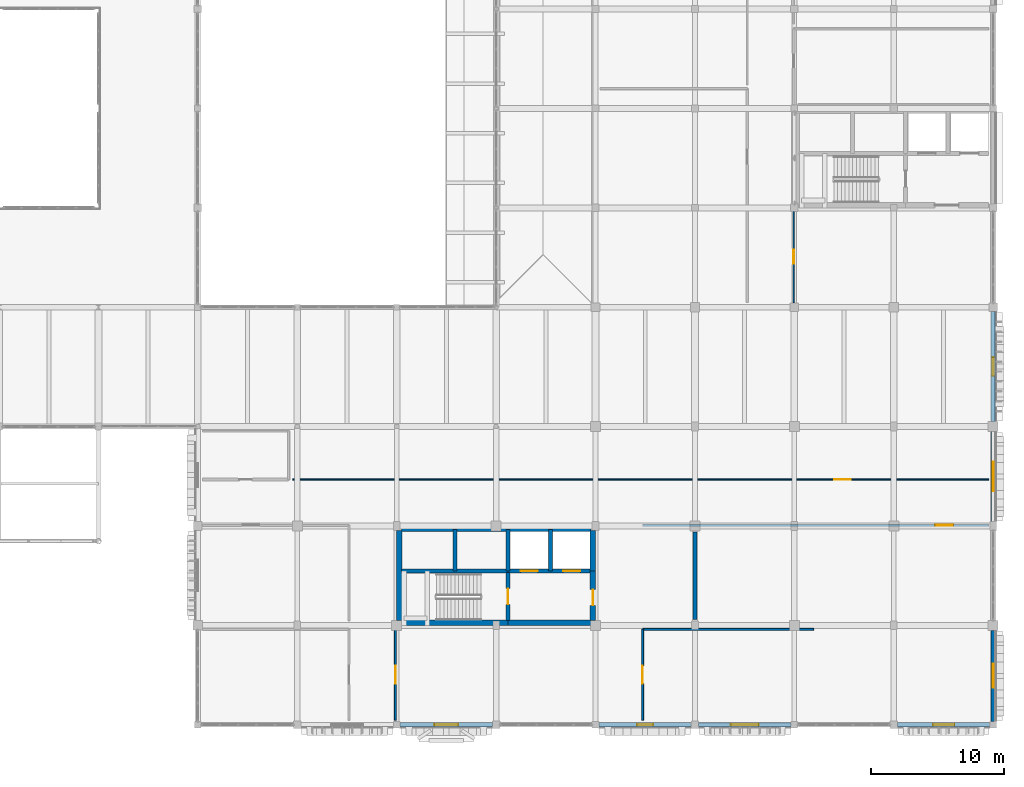
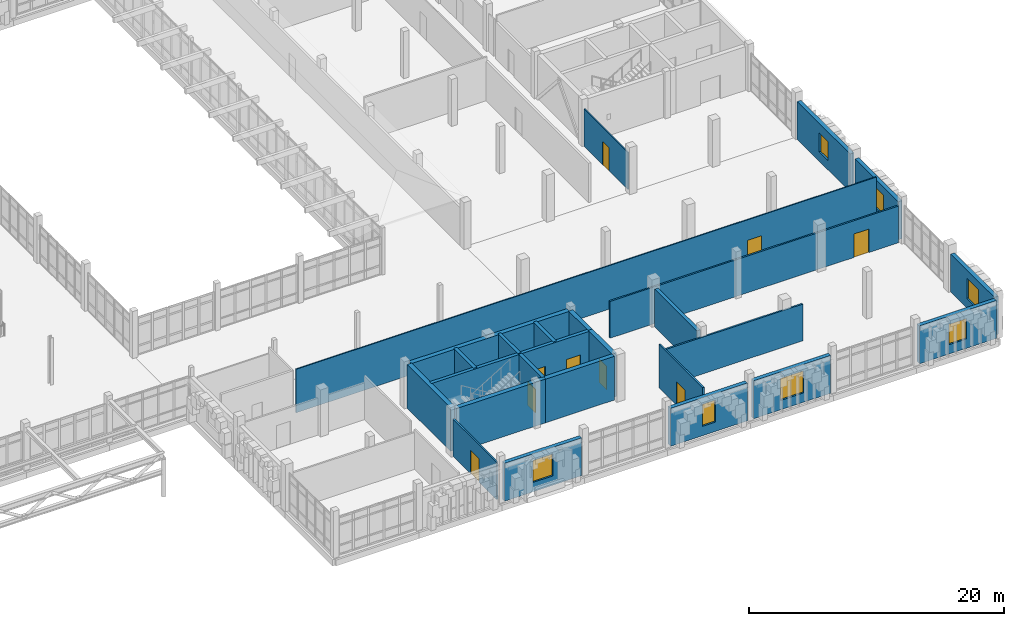
# One storey, part 103 of 128: 26 walls, 9 doors, 7 windows, 16 openings.
"""IFC4 building model written with IfcOpenShell, lengths in metres."""

from ifc_helpers import new_model, si_unit, direction, frame, frame_2d, origin, place, context, subcontext, project, spatial, rectangle, extrude, material, layer, layer_set, type_object, element, fill, save


model = new_model("IFC4")

# Units and contexts
model_context = context("Model", 3, precision=1e-05, world=origin(), true_north=direction((0.0, 1.0)))
body_context = subcontext(model_context, "Body", "Model", "MODEL_VIEW")
ifc_project = project(units=[si_unit("LENGTHUNIT", "METRE"), si_unit("AREAUNIT", "SQUARE_METRE"), si_unit("VOLUMEUNIT", "CUBIC_METRE"), si_unit("PLANEANGLEUNIT", "RADIAN"), si_unit("MASSUNIT", "GRAM", prefix="KILO")], contexts=[model_context])

# Site, building, storey
site_placement = place(None, origin())
site = spatial("IfcSite", under=ifc_project, at=site_placement, CompositionType="ELEMENT")
building_placement = place(site_placement, origin())
building = spatial("IfcBuilding", under=site, at=building_placement, Name="Dalvernix Boulevard General Hospital", CompositionType="ELEMENT")
storey_placement = place(building_placement, frame((0.0, 0.0, 4.800048828125)))
storey = spatial("IfcBuildingStorey", under=building, at=storey_placement, Name="L01", CompositionType="ELEMENT", Elevation=4.800048828125)

# Walls
ifc_material_1 = material(Name="Concrete C40/50", Category="concrete")
ifc_layer_1 = layer(ifc_material_1, 0.39990234375)
ifc_layer_set_1 = layer_set([ifc_layer_1], Name="Concrete C40/50 (WAL-CSW-01)")
wall_type_1 = type_object("IfcWallType", Name="WAL-CSW-01", PredefinedType="SHEAR", material=ifc_layer_set_1)
wall_1_placement = place(storey_placement, frame((127.85009765625, 7.699951171875, 0.0), z_axis=(0.0, 0.0, 1.0), x_axis=(1.0, 0.0, 0.0)))
element("IfcWall", 1, at=wall_1_placement, inside=storey, type_object=wall_type_1, Name="L01 C5 south stairwell wall", PredefinedType="SHEAR", context=body_context, shape_type="SweptSolid", body=[
    extrude(rectangle(XDim=8.0498046875, YDim=0.39990234375, at=frame_2d((4.02490234375, 0.0))), origin(), (0.0, 0.0, 1.0), 4.179931640625),
])
wall_2_placement = place(storey_placement, frame((135.89990234375, 7.699951171875, 0.0), z_axis=(0.0, 0.0, 1.0), x_axis=(1.0, 0.0, 0.0)))
element("IfcWall", 2, at=wall_2_placement, inside=storey, type_object=wall_type_1, Name="L01 C5 south firefighting lobby wall", PredefinedType="SHEAR", context=body_context, shape_type="SweptSolid", body=[
    extrude(rectangle(XDim=6.25, YDim=0.39990234375, at=frame_2d((3.125, 0.0))), origin(), (0.0, 0.0, 1.0), 4.179931640625),
])
wall_3_placement = place(storey_placement, frame((127.85009765625, 14.800048828125, 0.0), z_axis=(0.0, 0.0, 1.0), x_axis=(1.0, 0.0, 0.0)))
element("IfcWall", 3, at=wall_3_placement, inside=storey, type_object=wall_type_1, Name="L01 C5 north shaft core wall", PredefinedType="SHEAR", context=body_context, shape_type="SweptSolid", body=[
    extrude(rectangle(XDim=14.2998046875, YDim=0.39990234375, at=frame_2d((7.14990234375, 0.0))), origin(), (0.0, 0.0, 1.0), 4.179931640625),
])
wall_4_placement = place(storey_placement, frame((127.699951171875, 7.85009765625, 0.0), z_axis=(0.0, 0.0, 1.0), x_axis=(0.0, 1.0, 0.0)))
element("IfcWall", 4, at=wall_4_placement, inside=storey, type_object=wall_type_1, Name="L01 C5 west core wall", PredefinedType="SHEAR", context=body_context, shape_type="SweptSolid", body=[
    extrude(rectangle(XDim=6.7998046875, YDim=0.39990234375, at=frame_2d((3.39990234375, 0.0))), origin(), (0.0, 0.0, 1.0), 4.179931640625),
])

# Wall, opening, door
wall_5_placement = place(storey_placement, frame((142.300048828125, 7.85009765625, 0.0), z_axis=(0.0, 0.0, 1.0), x_axis=(0.0, 1.0, 0.0)))
wall_5 = element("IfcWall", 5, at=wall_5_placement, inside=storey, type_object=wall_type_1, Name="L01 C5 east lobby core wall", PredefinedType="SHEAR", context=body_context, shape_type="SweptSolid", body=[
    extrude(rectangle(XDim=3.75, YDim=0.39990234375, at=frame_2d((1.875, 0.0))), origin(), (0.0, 0.0, 1.0), 4.179931640625),
])
opening_1_placement = place(wall_5_placement, frame((1.14990234375, 0.0, 0.0)))
opening_1 = element("IfcOpeningElement", 6, at=opening_1_placement, cuts=wall_5, Name="Opening FD-02", PredefinedType="OPENING", context=body_context, shape_type="SweptSolid", body=[
    extrude(rectangle(XDim=1.199951171875, YDim=2.25, at=frame_2d((0.60009765625, 1.125))), frame((0.0, 0.2099609375, 0.0), z_axis=(0.0, -1.0, 0.0), x_axis=(1.0, 0.0, 0.0)), (0.0, 0.0, 1.0), 0.419921875),
])
ifc_material_2 = material(Name="Hospital laminate acoustic timber and steel frame", Category="steel")
door_type_1 = type_object("IfcDoorType", Name="DR-FD-02", OperationType="NOTDEFINED", PredefinedType="DOOR", material=ifc_material_2)
door_1_placement = place(opening_1_placement, origin())
door_1 = element("IfcDoor", 7, at=door_1_placement, inside=storey, type_object=door_type_1, Name="L01 C5 east lobby fire door", OperationType="SINGLE_SWING_LEFT", OverallHeight=2.25, OverallWidth=1.199951171875, PredefinedType="DOOR", context=body_context, shape_type="SweptSolid", body=[
    extrude(rectangle(XDim=1.199951171875, YDim=2.25, at=frame_2d((0.60009765625, 1.125))), frame((0.0, 0.02490234375, 0.0), z_axis=(0.0, -1.0, 0.0), x_axis=(1.0, 0.0, 0.0)), (0.0, 0.0, 1.0), 0.050048828125),
])
fill(opening_1, door_1)

# Walls
wall_6_placement = place(storey_placement, frame((142.300048828125, 11.60009765625, 0.0), z_axis=(0.0, 0.0, 1.0), x_axis=(0.0, 1.0, 0.0)))
element("IfcWall", 8, at=wall_6_placement, inside=storey, type_object=wall_type_1, Name="L01 C5 east shaft core wall", PredefinedType="SHEAR", context=body_context, shape_type="SweptSolid", body=[
    extrude(rectangle(XDim=3.0498046875, YDim=0.39990234375, at=frame_2d((1.52490234375, 0.0))), origin(), (0.0, 0.0, 1.0), 4.179931640625),
])
ifc_layer_2 = layer(ifc_material_1, 0.300048828125)
ifc_layer_set_2 = layer_set([ifc_layer_2], Name="Concrete C40/50 (WAL-CSW-02)")
wall_type_2 = type_object("IfcWallType", Name="WAL-CSW-02", PredefinedType="SHEAR", material=ifc_layer_set_2)
wall_7_placement = place(storey_placement, frame((127.85009765625, 11.60009765625, 0.0), z_axis=(0.0, 0.0, 1.0), x_axis=(1.0, 0.0, 0.0)))
element("IfcWall", 9, at=wall_7_placement, inside=storey, type_object=wall_type_2, Name="L01 C5 riser spine wall", PredefinedType="SHEAR", context=body_context, shape_type="SweptSolid", body=[
    extrude(rectangle(XDim=8.0498046875, YDim=0.300048828125, at=frame_2d((4.02490234375, 0.0))), origin(), (0.0, 0.0, 1.0), 4.179931640625),
])

# Wall, openings, doors
wall_8_placement = place(storey_placement, frame((135.89990234375, 11.60009765625, 0.0), z_axis=(0.0, 0.0, 1.0), x_axis=(1.0, 0.0, 0.0)))
wall_8 = element("IfcWall", 10, at=wall_8_placement, inside=storey, type_object=wall_type_2, Name="L01 C5 lift shaft front wall", PredefinedType="SHEAR", context=body_context, shape_type="SweptSolid", body=[
    extrude(rectangle(XDim=6.25, YDim=0.300048828125, at=frame_2d((3.125, 0.0))), origin(), (0.0, 0.0, 1.0), 4.179931640625),
])
opening_2_placement = place(wall_8_placement, frame((0.949951171875, 0.0, 0.0)))
opening_2 = element("IfcOpeningElement", 11, at=opening_2_placement, cuts=wall_8, Name="Opening LD-LF-04-L01", PredefinedType="OPENING", context=body_context, shape_type="SweptSolid", body=[
    extrude(rectangle(XDim=1.300048828125, YDim=2.199951171875, at=frame_2d((0.64990234375, 1.10009765625))), frame((0.0, 0.159912109375, 0.0), z_axis=(0.0, -1.0, 0.0), x_axis=(1.0, 0.0, 0.0)), (0.0, 0.0, 1.0), 0.320068359375),
])
opening_3_placement = place(wall_8_placement, frame((4.14990234375, 0.0, 0.0)))
opening_3 = element("IfcOpeningElement", 12, at=opening_3_placement, cuts=wall_8, Name="Opening LD-LF-05-L01", PredefinedType="OPENING", context=body_context, shape_type="SweptSolid", body=[
    extrude(rectangle(XDim=1.300048828125, YDim=2.199951171875, at=frame_2d((0.64990234375, 1.10009765625))), frame((0.0, 0.159912109375, 0.0), z_axis=(0.0, -1.0, 0.0), x_axis=(1.0, 0.0, 0.0)), (0.0, 0.0, 1.0), 0.320068359375),
])
ifc_material_3 = material(Name="Stainless-clad steel", Category="steel")
door_type_2 = type_object("IfcDoorType", Name="DR-LD-02", OperationType="DOUBLE_DOOR_SLIDING", PredefinedType="DOOR", material=ifc_material_3)
door_2_placement = place(opening_2_placement, origin())
door_2 = element("IfcDoor", 13, at=door_2_placement, inside=storey, type_object=door_type_2, Name="L01 Lift LF-04 sliding landing door", OperationType="DOUBLE_DOOR_SLIDING", OverallHeight=2.199951171875, OverallWidth=1.300048828125, PredefinedType="DOOR", context=body_context, shape_type="SweptSolid", body=[
    extrude(rectangle(XDim=1.300048828125, YDim=2.199951171875, at=frame_2d((0.64990234375, 1.10009765625))), frame((0.0, 0.02490234375, 0.0), z_axis=(0.0, -1.0, 0.0), x_axis=(1.0, 0.0, 0.0)), (0.0, 0.0, 1.0), 0.050048828125),
])
fill(opening_2, door_2)
door_3_placement = place(opening_3_placement, origin())
door_3 = element("IfcDoor", 14, at=door_3_placement, inside=storey, type_object=door_type_2, Name="L01 Lift LF-05 sliding landing door", OperationType="DOUBLE_DOOR_SLIDING", OverallHeight=2.199951171875, OverallWidth=1.300048828125, PredefinedType="DOOR", context=body_context, shape_type="SweptSolid", body=[
    extrude(rectangle(XDim=1.300048828125, YDim=2.199951171875, at=frame_2d((0.64990234375, 1.10009765625))), frame((0.0, 0.02490234375, 0.0), z_axis=(0.0, -1.0, 0.0), x_axis=(1.0, 0.0, 0.0)), (0.0, 0.0, 1.0), 0.050048828125),
])
fill(opening_3, door_3)

# Wall, opening, door
wall_9_placement = place(storey_placement, frame((135.89990234375, 11.5, 0.0), z_axis=(0.0, 0.0, 1.0), x_axis=(0.0, -1.0, 0.0)))
wall_9 = element("IfcWall", 15, at=wall_9_placement, inside=storey, type_object=wall_type_2, Name="L01 C5 stairwell fire wall", PredefinedType="SHEAR", context=body_context, shape_type="SweptSolid", body=[
    extrude(rectangle(XDim=3.64990234375, YDim=0.300048828125, at=frame_2d((1.824951171875, 0.0))), origin(), (0.0, 0.0, 1.0), 4.179931640625),
])
opening_4_placement = place(wall_9_placement, frame((1.219970703125, 0.0, 0.0)))
opening_4 = element("IfcOpeningElement", 16, at=opening_4_placement, cuts=wall_9, Name="Opening FD-02", PredefinedType="OPENING", context=body_context, shape_type="SweptSolid", body=[
    extrude(rectangle(XDim=1.199951171875, YDim=2.25, at=frame_2d((0.60009765625, 1.125))), frame((0.0, 0.159912109375, 0.0), z_axis=(0.0, -1.0, 0.0), x_axis=(1.0, 0.0, 0.0)), (0.0, 0.0, 1.0), 0.320068359375),
])
door_4_placement = place(opening_4_placement, origin())
door_4 = element("IfcDoor", 17, at=door_4_placement, inside=storey, type_object=door_type_1, Name="L01 Stair ST-05 fire door", OperationType="SINGLE_SWING_LEFT", OverallHeight=2.25, OverallWidth=1.199951171875, PredefinedType="DOOR", context=body_context, shape_type="SweptSolid", body=[
    extrude(rectangle(XDim=1.199951171875, YDim=2.25, at=frame_2d((0.60009765625, 1.125))), frame((0.0, 0.02490234375, 0.0), z_axis=(0.0, -1.0, 0.0), x_axis=(1.0, 0.0, 0.0)), (0.0, 0.0, 1.0), 0.050048828125),
])
fill(opening_4, door_4)

# Walls
for number, where, z_axis, x_axis, name in (
    (18, (131.89990234375, 11.60009765625, 0.0), (0.0, 0.0, 1.0), (0.0, 1.0, 0.0), "L01 C5 shaft divider R1"),
    (19, (135.89990234375, 11.60009765625, 0.0), (0.0, 0.0, 1.0), (0.0, 1.0, 0.0), "L01 C5 shaft divider R2"),
    (20, (139.10009765625, 11.60009765625, 0.0), (0.0, 0.0, 1.0), (0.0, 1.0, 0.0), "L01 C5 shaft divider L1"),
):
    element("IfcWall", number, at=place(storey_placement, frame(where, z_axis=z_axis, x_axis=x_axis)), inside=storey, type_object=wall_type_2, Name=name, PredefinedType="SHEAR", context=body_context, shape_type="SweptSolid", body=[
        extrude(rectangle(XDim=3.14990234375, YDim=0.300048828125, at=frame_2d((1.574951171875, 0.0))), origin(), (0.0, 0.0, 1.0), 4.179931640625),
    ])
ifc_layer_3 = layer(ifc_material_1, 0.320068359375)
ifc_layer_set_3 = layer_set([ifc_layer_3], Name="Concrete C40/50 (WAL-ESW-02)")
wall_type_3 = type_object("IfcWallType", Name="WAL-ESW-02", PredefinedType="SHEAR", material=ifc_layer_set_3)
wall_10_placement = place(storey_placement, frame((150.0, 7.949951171875, 0.0), z_axis=(0.0, 0.0, 1.0), x_axis=(0.0, 1.0, 0.0)))
element("IfcWall", 21, at=wall_10_placement, inside=storey, type_object=wall_type_3, Name="L01 reinforced concrete shear wall 3", PredefinedType="SHEAR", context=body_context, shape_type="SweptSolid", body=[
    extrude(rectangle(XDim=6.60009765625, YDim=0.320068359375, at=frame_2d((3.300048828125, 0.0))), origin(), (0.0, 0.0, 1.0), 3.6298828125),
])

# Wall, opening, window
ifc_material_4 = material(Name="Pressed Catalan clay brick and insulated concrete cavity wall C35/45", Category="masonry")
ifc_layer_4 = layer(ifc_material_4, 0.35009765625)
ifc_layer_set_4 = layer_set([ifc_layer_4], Name="Pressed Catalan clay brick and insulated concrete cavity wall C35/45 (WAL-EW-01)")
wall_type_4 = type_object("IfcWallType", Name="WAL-EW-01", PredefinedType="STANDARD", material=ifc_layer_set_4)
wall_11_placement = place(storey_placement, frame((134.715087890625, 0.0, 0.0), z_axis=(0.0, 0.0, 1.0), x_axis=(-1.0, 0.0, 0.0)))
wall_11 = element("IfcWall", 22, at=wall_11_placement, inside=storey, type_object=wall_type_4, Name="L01 Catalan brick external wall S 17-0", PredefinedType="STANDARD", context=body_context, shape_type="SweptSolid", body=[
    extrude(rectangle(XDim=6.955078125, YDim=0.35009765625, at=frame_2d((3.4775390625, 0.0))), origin(), (0.0, 0.0, 1.0), 3.6298828125),
])
opening_5_placement = place(wall_11_placement, frame((2.577392578125, 0.0, 0.89990234375)))
opening_5 = element("IfcOpeningElement", 23, at=opening_5_placement, cuts=wall_11, Name="Opening WN-05", PredefinedType="OPENING", context=body_context, shape_type="SweptSolid", body=[
    extrude(rectangle(XDim=1.800048828125, YDim=2.10009765625, at=frame_2d((0.89990234375, 1.050048828125))), frame((0.0, 0.18505859375, 0.0), z_axis=(0.0, -1.0, 0.0), x_axis=(1.0, 0.0, 0.0)), (0.0, 0.0, 1.0), 0.3701171875),
])
ifc_material_5 = material(Name="Thermally broken aluminium frame with solar-control double glazing", Category="aluminium")
window_type_1 = type_object("IfcWindowType", Name="WIN-WN-05", PartitioningType="SINGLE_PANEL", PredefinedType="WINDOW", material=ifc_material_5)
window_1_placement = place(opening_5_placement, origin())
window_1 = element("IfcWindow", 24, at=window_1_placement, inside=storey, type_object=window_type_1, Name="L01 clinical window WN-05 S 17-0", OverallHeight=2.10009765625, OverallWidth=1.800048828125, PartitioningType="SINGLE_PANEL", PredefinedType="WINDOW", context=body_context, shape_type="SweptSolid", body=[
    extrude(rectangle(XDim=1.800048828125, YDim=2.10009765625, at=frame_2d((0.89990234375, 1.050048828125))), frame((0.0, 0.030029296875, 0.0), z_axis=(0.0, -1.0, 0.0), x_axis=(1.0, 0.0, 0.0)), (0.0, 0.0, 1.0), 0.06005859375),
])
fill(opening_5, window_1)

wall_12_placement = place(storey_placement, frame((149.715087890625, 0.0, 0.0), z_axis=(0.0, 0.0, 1.0), x_axis=(-1.0, 0.0, 0.0)))
wall_12 = element("IfcWall", 25, at=wall_12_placement, inside=storey, type_object=wall_type_4, Name="L01 Catalan brick external wall S 19-0", PredefinedType="STANDARD", context=body_context, shape_type="SweptSolid", body=[
    extrude(rectangle(XDim=6.955078125, YDim=0.35009765625, at=frame_2d((3.4775390625, 0.0))), origin(), (0.0, 0.0, 1.0), 3.6298828125),
])
opening_6_placement = place(wall_12_placement, frame((2.87744140625, 0.0, 0.89990234375)))
opening_6 = element("IfcOpeningElement", 26, at=opening_6_placement, cuts=wall_12, Name="Opening WN-07", PredefinedType="OPENING", context=body_context, shape_type="SweptSolid", body=[
    extrude(rectangle(XDim=1.199951171875, YDim=2.10009765625, at=frame_2d((0.60009765625, 1.050048828125))), frame((0.0, 0.18505859375, 0.0), z_axis=(0.0, -1.0, 0.0), x_axis=(1.0, 0.0, 0.0)), (0.0, 0.0, 1.0), 0.3701171875),
])
window_type_2 = type_object("IfcWindowType", Name="WIN-WN-07", PartitioningType="SINGLE_PANEL", PredefinedType="WINDOW", material=ifc_material_5)
window_2_placement = place(opening_6_placement, origin())
window_2 = element("IfcWindow", 27, at=window_2_placement, inside=storey, type_object=window_type_2, Name="L01 clinical window WN-07 S 19-0", OverallHeight=2.10009765625, OverallWidth=1.199951171875, PartitioningType="SINGLE_PANEL", PredefinedType="WINDOW", context=body_context, shape_type="SweptSolid", body=[
    extrude(rectangle(XDim=1.199951171875, YDim=2.10009765625, at=frame_2d((0.60009765625, 1.050048828125))), frame((0.0, 0.030029296875, 0.0), z_axis=(0.0, -1.0, 0.0), x_axis=(1.0, 0.0, 0.0)), (0.0, 0.0, 1.0), 0.06005859375),
])
fill(opening_6, window_2)

wall_13_placement = place(storey_placement, frame((157.239990234375, 0.0, 0.0), z_axis=(0.0, 0.0, 1.0), x_axis=(-1.0, 0.0, 0.0)))
wall_13 = element("IfcWall", 28, at=wall_13_placement, inside=storey, type_object=wall_type_4, Name="L01 Catalan brick external wall S 20-0", PredefinedType="STANDARD", context=body_context, shape_type="SweptSolid", body=[
    extrude(rectangle(XDim=6.955078125, YDim=0.35009765625, at=frame_2d((3.4775390625, 0.0))), origin(), (0.0, 0.0, 1.0), 3.6298828125),
])
opening_7_placement = place(wall_13_placement, frame((2.427490234375, 0.0, 0.89990234375)))
opening_7 = element("IfcOpeningElement", 29, at=opening_7_placement, cuts=wall_13, Name="Opening WN-08", PredefinedType="OPENING", context=body_context, shape_type="SweptSolid", body=[
    extrude(rectangle(XDim=2.10009765625, YDim=2.10009765625, at=frame_2d((1.050048828125, 1.050048828125))), frame((0.0, 0.18505859375, 0.0), z_axis=(0.0, -1.0, 0.0), x_axis=(1.0, 0.0, 0.0)), (0.0, 0.0, 1.0), 0.3701171875),
])
window_type_3 = type_object("IfcWindowType", Name="WIN-WN-08", PartitioningType="SINGLE_PANEL", PredefinedType="WINDOW", material=ifc_material_5)
window_3_placement = place(opening_7_placement, origin())
window_3 = element("IfcWindow", 30, at=window_3_placement, inside=storey, type_object=window_type_3, Name="L01 clinical window WN-08 S 20-0", OverallHeight=2.10009765625, OverallWidth=2.10009765625, PartitioningType="SINGLE_PANEL", PredefinedType="WINDOW", context=body_context, shape_type="SweptSolid", body=[
    extrude(rectangle(XDim=2.10009765625, YDim=2.10009765625, at=frame_2d((1.050048828125, 1.050048828125))), frame((0.0, 0.030029296875, 0.0), z_axis=(0.0, -1.0, 0.0), x_axis=(1.0, 0.0, 0.0)), (0.0, 0.0, 1.0), 0.06005859375),
])
fill(opening_7, window_3)

wall_14_placement = place(storey_placement, frame((172.239990234375, 0.0, 0.0), z_axis=(0.0, 0.0, 1.0), x_axis=(-1.0, 0.0, 0.0)))
wall_14 = element("IfcWall", 31, at=wall_14_placement, inside=storey, type_object=wall_type_4, Name="L01 Catalan brick external wall S 22-0", PredefinedType="STANDARD", context=body_context, shape_type="SweptSolid", body=[
    extrude(rectangle(XDim=6.955078125, YDim=0.35009765625, at=frame_2d((3.4775390625, 0.0))), origin(), (0.0, 0.0, 1.0), 3.6298828125),
])
opening_8_placement = place(wall_14_placement, frame((2.677490234375, 0.0, 0.89990234375)))
opening_8 = element("IfcOpeningElement", 32, at=opening_8_placement, cuts=wall_14, Name="Opening WN-10", PredefinedType="OPENING", context=body_context, shape_type="SweptSolid", body=[
    extrude(rectangle(XDim=1.60009765625, YDim=1.949951171875, at=frame_2d((0.800048828125, 0.97509765625))), frame((0.0, 0.18505859375, 0.0), z_axis=(0.0, -1.0, 0.0), x_axis=(1.0, 0.0, 0.0)), (0.0, 0.0, 1.0), 0.3701171875),
])
window_type_4 = type_object("IfcWindowType", Name="WIN-WN-10", PartitioningType="SINGLE_PANEL", PredefinedType="WINDOW", material=ifc_material_5)
window_4_placement = place(opening_8_placement, origin())
window_4 = element("IfcWindow", 33, at=window_4_placement, inside=storey, type_object=window_type_4, Name="L01 clinical window WN-10 S 22-0", OverallHeight=1.949951171875, OverallWidth=1.60009765625, PartitioningType="SINGLE_PANEL", PredefinedType="WINDOW", context=body_context, shape_type="SweptSolid", body=[
    extrude(rectangle(XDim=1.60009765625, YDim=1.949951171875, at=frame_2d((0.800048828125, 0.97509765625))), frame((0.0, 0.030029296875, 0.0), z_axis=(0.0, -1.0, 0.0), x_axis=(1.0, 0.0, 0.0)), (0.0, 0.0, 1.0), 0.06005859375),
])
fill(opening_8, window_4)

wall_15_placement = place(storey_placement, frame((172.5, 7.114990234375, 0.0), z_axis=(0.0, 0.0, 1.0), x_axis=(0.0, -1.0, 0.0)))
wall_15 = element("IfcWall", 34, at=wall_15_placement, inside=storey, type_object=wall_type_4, Name="L01 Catalan brick external wall E 23-0", PredefinedType="STANDARD", context=body_context, shape_type="SweptSolid", body=[
    extrude(rectangle(XDim=6.85498046875, YDim=0.35009765625, at=frame_2d((3.427490234375, 0.0))), origin(), (0.0, 0.0, 1.0), 3.6298828125),
])
opening_9_placement = place(wall_15_placement, frame((2.527587890625, 0.0, 0.89990234375)))
opening_9 = element("IfcOpeningElement", 35, at=opening_9_placement, cuts=wall_15, Name="Opening WN-11", PredefinedType="OPENING", context=body_context, shape_type="SweptSolid", body=[
    extrude(rectangle(XDim=1.800048828125, YDim=1.949951171875, at=frame_2d((0.89990234375, 0.97509765625))), frame((0.0, 0.18505859375, 0.0), z_axis=(0.0, -1.0, 0.0), x_axis=(1.0, 0.0, 0.0)), (0.0, 0.0, 1.0), 0.3701171875),
])
window_type_5 = type_object("IfcWindowType", Name="WIN-WN-11", PartitioningType="SINGLE_PANEL", PredefinedType="WINDOW", material=ifc_material_5)
window_5_placement = place(opening_9_placement, origin())
window_5 = element("IfcWindow", 36, at=window_5_placement, inside=storey, type_object=window_type_5, Name="L01 clinical window WN-11 E 23-0", OverallHeight=1.949951171875, OverallWidth=1.800048828125, PartitioningType="SINGLE_PANEL", PredefinedType="WINDOW", context=body_context, shape_type="SweptSolid", body=[
    extrude(rectangle(XDim=1.800048828125, YDim=1.949951171875, at=frame_2d((0.89990234375, 0.97509765625))), frame((0.0, 0.030029296875, 0.0), z_axis=(0.0, -1.0, 0.0), x_axis=(1.0, 0.0, 0.0)), (0.0, 0.0, 1.0), 0.06005859375),
])
fill(opening_9, window_5)

wall_16_placement = place(storey_placement, frame((172.5, 22.114990234375, 0.0), z_axis=(0.0, 0.0, 1.0), x_axis=(0.0, -1.0, 0.0)))
wall_16 = element("IfcWall", 37, at=wall_16_placement, inside=storey, type_object=wall_type_4, Name="L01 Catalan brick external wall E 23-2", PredefinedType="STANDARD", context=body_context, shape_type="SweptSolid", body=[
    extrude(rectangle(XDim=6.780029296875, YDim=0.35009765625, at=frame_2d((3.39013671875, 0.0))), origin(), (0.0, 0.0, 1.0), 3.6298828125),
])
opening_10_placement = place(wall_16_placement, frame((2.2900390625, 0.0, 0.89990234375)))
opening_10 = element("IfcOpeningElement", 38, at=opening_10_placement, cuts=wall_16, Name="Opening WN-13", PredefinedType="OPENING", context=body_context, shape_type="SweptSolid", body=[
    extrude(rectangle(XDim=2.199951171875, YDim=1.949951171875, at=frame_2d((1.10009765625, 0.97509765625))), frame((0.0, 0.18505859375, 0.0), z_axis=(0.0, -1.0, 0.0), x_axis=(1.0, 0.0, 0.0)), (0.0, 0.0, 1.0), 0.3701171875),
])
window_type_6 = type_object("IfcWindowType", Name="WIN-WN-13", PartitioningType="SINGLE_PANEL", PredefinedType="WINDOW", material=ifc_material_5)
window_6_placement = place(opening_10_placement, origin())
window_6 = element("IfcWindow", 39, at=window_6_placement, inside=storey, type_object=window_type_6, Name="L01 clinical window WN-13 E 23-2", OverallHeight=1.949951171875, OverallWidth=2.199951171875, PartitioningType="SINGLE_PANEL", PredefinedType="WINDOW", context=body_context, shape_type="SweptSolid", body=[
    extrude(rectangle(XDim=2.199951171875, YDim=1.949951171875, at=frame_2d((1.10009765625, 0.97509765625))), frame((0.0, 0.030029296875, 0.0), z_axis=(0.0, -1.0, 0.0), x_axis=(1.0, 0.0, 0.0)), (0.0, 0.0, 1.0), 0.06005859375),
])
fill(opening_10, window_6)

wall_17_placement = place(storey_placement, frame((172.5, 31.1650390625, 0.0), z_axis=(0.0, 0.0, 1.0), x_axis=(0.0, -1.0, 0.0)))
wall_17 = element("IfcWall", 40, at=wall_17_placement, inside=storey, type_object=wall_type_4, Name="L01 Catalan brick external wall E 23-3", PredefinedType="STANDARD", context=body_context, shape_type="SweptSolid", body=[
    extrude(rectangle(XDim=8.280029296875, YDim=0.35009765625, at=frame_2d((4.14013671875, 0.0))), origin(), (0.0, 0.0, 1.0), 3.6298828125),
])
opening_11_placement = place(wall_17_placement, frame((3.43994140625, 0.0, 0.89990234375)))
opening_11 = element("IfcOpeningElement", 41, at=opening_11_placement, cuts=wall_17, Name="Opening WN-14", PredefinedType="OPENING", context=body_context, shape_type="SweptSolid", body=[
    extrude(rectangle(XDim=1.39990234375, YDim=1.800048828125, at=frame_2d((0.699951171875, 0.89990234375))), frame((0.0, 0.18505859375, 0.0), z_axis=(0.0, -1.0, 0.0), x_axis=(1.0, 0.0, 0.0)), (0.0, 0.0, 1.0), 0.3701171875),
])
window_type_7 = type_object("IfcWindowType", Name="WIN-WN-14", PartitioningType="SINGLE_PANEL", PredefinedType="WINDOW", material=ifc_material_5)
window_7_placement = place(opening_11_placement, origin())
window_7 = element("IfcWindow", 42, at=window_7_placement, inside=storey, type_object=window_type_7, Name="L01 clinical window WN-14 E 23-3", OverallHeight=1.800048828125, OverallWidth=1.39990234375, PartitioningType="SINGLE_PANEL", PredefinedType="WINDOW", context=body_context, shape_type="SweptSolid", body=[
    extrude(rectangle(XDim=1.39990234375, YDim=1.800048828125, at=frame_2d((0.699951171875, 0.89990234375))), frame((0.0, 0.030029296875, 0.0), z_axis=(0.0, -1.0, 0.0), x_axis=(1.0, 0.0, 0.0)), (0.0, 0.0, 1.0), 0.06005859375),
])
fill(opening_11, window_7)

# Wall, opening, door
ifc_material_6 = material(Name="Acoustic double-stud gypsum inpatient partition")
ifc_layer_5 = layer(ifc_material_6, 0.14990234375)
ifc_layer_set_5 = layer_set([ifc_layer_5], Name="Acoustic double-stud gypsum inpatient partition (WAL-IW-04)")
wall_type_5 = type_object("IfcWallType", Name="WAL-IW-04", PredefinedType="PARTITIONING", material=ifc_layer_set_5)
wall_18_placement = place(storey_placement, frame((127.39990234375, 7.199951171875, 0.0), z_axis=(0.0, 0.0, 1.0), x_axis=(0.0, -1.0, 0.0)))
wall_18 = element("IfcWall", 43, at=wall_18_placement, inside=storey, type_object=wall_type_5, Name="L01 Antenatal Clinic L01-02 corridor wall", PredefinedType="PARTITIONING", context=body_context, shape_type="SweptSolid", body=[
    extrude(rectangle(XDim=6.849853515625, YDim=0.14990234375, at=frame_2d((3.4248046875, 0.0))), origin(), (0.0, 0.0, 1.0), 3.56494140625),
])
opening_12_placement = place(wall_18_placement, frame((2.75, 0.0, 0.0)))
opening_12 = element("IfcOpeningElement", 44, at=opening_12_placement, cuts=wall_18, Name="Opening ID-01", PredefinedType="OPENING", context=body_context, shape_type="SweptSolid", body=[
    extrude(rectangle(XDim=1.35009765625, YDim=2.25, at=frame_2d((0.675048828125, 1.125))), frame((0.0, 0.0849609375, 0.0), z_axis=(0.0, -1.0, 0.0), x_axis=(1.0, 0.0, 0.0)), (0.0, 0.0, 1.0), 0.169921875),
])
door_type_3 = type_object("IfcDoorType", Name="DR-ID-01", OperationType="NOTDEFINED", PredefinedType="DOOR", material=ifc_material_2)
door_5_placement = place(opening_12_placement, origin())
door_5 = element("IfcDoor", 45, at=door_5_placement, inside=storey, type_object=door_type_3, Name="L01 Antenatal Clinic L01-02 door", OperationType="SINGLE_SWING_RIGHT", OverallHeight=2.25, OverallWidth=1.35009765625, PredefinedType="DOOR", context=body_context, shape_type="SweptSolid", body=[
    extrude(rectangle(XDim=1.35009765625, YDim=2.25, at=frame_2d((0.675048828125, 1.125))), frame((0.0, 0.02490234375, 0.0), z_axis=(0.0, -1.0, 0.0), x_axis=(1.0, 0.0, 0.0)), (0.0, 0.0, 1.0), 0.050048828125),
])
fill(opening_12, door_5)

wall_19_placement = place(storey_placement, frame((146.050048828125, 7.199951171875, 0.0), z_axis=(0.0, 0.0, 1.0), x_axis=(0.0, -1.0, 0.0)))
wall_19 = element("IfcWall", 46, at=wall_19_placement, inside=storey, type_object=wall_type_5, Name="L01 Antenatal Clinic L01-03 corridor wall", PredefinedType="PARTITIONING", context=body_context, shape_type="SweptSolid", body=[
    extrude(rectangle(XDim=6.849853515625, YDim=0.14990234375, at=frame_2d((3.4248046875, 0.0))), origin(), (0.0, 0.0, 1.0), 4.1650390625),
])
opening_13_placement = place(wall_19_placement, frame((2.75, 0.0, 0.0)))
opening_13 = element("IfcOpeningElement", 47, at=opening_13_placement, cuts=wall_19, Name="Opening ID-01", PredefinedType="OPENING", context=body_context, shape_type="SweptSolid", body=[
    extrude(rectangle(XDim=1.35009765625, YDim=2.25, at=frame_2d((0.675048828125, 1.125))), frame((0.0, 0.0849609375, 0.0), z_axis=(0.0, -1.0, 0.0), x_axis=(1.0, 0.0, 0.0)), (0.0, 0.0, 1.0), 0.169921875),
])
door_6_placement = place(opening_13_placement, origin())
door_6 = element("IfcDoor", 48, at=door_6_placement, inside=storey, type_object=door_type_3, Name="L01 Antenatal Clinic L01-03 door", OperationType="SINGLE_SWING_LEFT", OverallHeight=2.25, OverallWidth=1.35009765625, PredefinedType="DOOR", context=body_context, shape_type="SweptSolid", body=[
    extrude(rectangle(XDim=1.35009765625, YDim=2.25, at=frame_2d((0.675048828125, 1.125))), frame((0.0, 0.02490234375, 0.0), z_axis=(0.0, -1.0, 0.0), x_axis=(1.0, 0.0, 0.0)), (0.0, 0.0, 1.0), 0.050048828125),
])
fill(opening_13, door_6)

wall_20_placement = place(storey_placement, frame((172.14990234375, 15.050048828125, 0.0), z_axis=(0.0, 0.0, 1.0), x_axis=(-1.0, 0.0, 0.0)))
wall_20 = element("IfcWall", 49, at=wall_20_placement, inside=storey, type_object=wall_type_5, Name="L01 Antenatal Clinic L01-04 corridor wall", PredefinedType="PARTITIONING", context=body_context, shape_type="SweptSolid", body=[
    extrude(rectangle(XDim=26.099853515625, YDim=0.14990234375, at=frame_2d((13.0498046875, 0.0))), origin(), (0.0, 0.0, 1.0), 3.514892578125),
])
opening_14_placement = place(wall_20_placement, frame((2.675048828125, 0.0, 0.0)))
opening_14 = element("IfcOpeningElement", 50, at=opening_14_placement, cuts=wall_20, Name="Opening ID-01", PredefinedType="OPENING", context=body_context, shape_type="SweptSolid", body=[
    extrude(rectangle(XDim=1.35009765625, YDim=2.25, at=frame_2d((0.675048828125, 1.125))), frame((0.0, 0.0849609375, 0.0), z_axis=(0.0, -1.0, 0.0), x_axis=(1.0, 0.0, 0.0)), (0.0, 0.0, 1.0), 0.169921875),
])
door_7_placement = place(opening_14_placement, origin())
door_7 = element("IfcDoor", 51, at=door_7_placement, inside=storey, type_object=door_type_3, Name="L01 Antenatal Clinic L01-04 door", OperationType="SINGLE_SWING_RIGHT", OverallHeight=2.25, OverallWidth=1.35009765625, PredefinedType="DOOR", context=body_context, shape_type="SweptSolid", body=[
    extrude(rectangle(XDim=1.35009765625, YDim=2.25, at=frame_2d((0.675048828125, 1.125))), frame((0.0, 0.02490234375, 0.0), z_axis=(0.0, -1.0, 0.0), x_axis=(1.0, 0.0, 0.0)), (0.0, 0.0, 1.0), 0.050048828125),
])
fill(opening_14, door_7)

# Wall
wall_21_placement = place(storey_placement, frame((146.050048828125, 7.199951171875, 0.0), z_axis=(0.0, 0.0, 1.0), x_axis=(1.0, 0.0, 0.0)))
element("IfcWall", 52, at=wall_21_placement, inside=storey, type_object=wall_type_5, Name="L01 Antenatal Clinic L01-03 partition", PredefinedType="PARTITIONING", context=body_context, shape_type="SweptSolid", body=[
    extrude(rectangle(XDim=12.89990234375, YDim=0.14990234375, at=frame_2d((6.449951171875, 0.0))), origin(), (0.0, 0.0, 1.0), 3.514892578125),
])

# Wall, opening, door
ifc_material_7 = material(Name="Fire-resisting clinical sub-partition")
ifc_layer_6 = layer(ifc_material_7, 0.10009765625)
ifc_layer_set_6 = layer_set([ifc_layer_6], Name="Fire-resisting clinical sub-partition (WAL-IW-06)")
wall_type_6 = type_object("IfcWallType", Name="WAL-IW-06", PredefinedType="PARTITIONING", material=ifc_layer_set_6)
wall_22_placement = place(storey_placement, frame((119.64990234375, 18.5, 0.0), z_axis=(0.0, 0.0, 1.0), x_axis=(1.0, 0.0, 0.0)))
wall_22 = element("IfcWall", 53, at=wall_22_placement, inside=storey, type_object=wall_type_6, Name="L01 Maternity and Oncology Nurse Station L01 corridor wall", PredefinedType="PARTITIONING", context=body_context, shape_type="SweptSolid", body=[
    extrude(rectangle(XDim=52.5, YDim=0.10009765625, at=frame_2d((26.25, 0.0))), origin(), (0.0, 0.0, 1.0), 4.1650390625),
])
opening_15_placement = place(wall_22_placement, frame((40.85009765625, 0.0, 0.0)))
opening_15 = element("IfcOpeningElement", 54, at=opening_15_placement, cuts=wall_22, Name="Opening ID-04", PredefinedType="OPENING", context=body_context, shape_type="SweptSolid", body=[
    extrude(rectangle(XDim=1.25, YDim=2.199951171875, at=frame_2d((0.625, 1.10009765625))), frame((0.0, 0.06005859375, 0.0), z_axis=(0.0, -1.0, 0.0), x_axis=(1.0, 0.0, 0.0)), (0.0, 0.0, 1.0), 0.1201171875),
])
door_type_4 = type_object("IfcDoorType", Name="DR-ID-04", OperationType="NOTDEFINED", PredefinedType="DOOR", material=ifc_material_2)
door_8_placement = place(opening_15_placement, origin())
door_8 = element("IfcDoor", 55, at=door_8_placement, inside=storey, type_object=door_type_4, Name="L01 Maternity and Oncology Nurse Station L01 door", OperationType="SINGLE_SWING_LEFT", OverallHeight=2.199951171875, OverallWidth=1.25, PredefinedType="DOOR", context=body_context, shape_type="SweptSolid", body=[
    extrude(rectangle(XDim=1.25, YDim=2.199951171875, at=frame_2d((0.625, 1.10009765625))), frame((0.0, 0.02490234375, 0.0), z_axis=(0.0, -1.0, 0.0), x_axis=(1.0, 0.0, 0.0)), (0.0, 0.0, 1.0), 0.050048828125),
])
fill(opening_15, door_8)

wall_23_placement = place(storey_placement, frame((157.449951171875, 38.75, 0.0), z_axis=(0.0, 0.0, 1.0), x_axis=(0.0, -1.0, 0.0)))
wall_23 = element("IfcWall", 56, at=wall_23_placement, inside=storey, type_object=wall_type_6, Name="L01 Specialty Consultation L01-E1 corridor wall", PredefinedType="PARTITIONING", context=body_context, shape_type="SweptSolid", body=[
    extrude(rectangle(XDim=6.89990234375, YDim=0.10009765625, at=frame_2d((3.449951171875, 0.0))), origin(), (0.0, 0.0, 1.0), 3.56494140625),
])
opening_16_placement = place(wall_23_placement, frame((2.925048828125, 0.0, 0.0)))
opening_16 = element("IfcOpeningElement", 57, at=opening_16_placement, cuts=wall_23, Name="Opening ID-07", PredefinedType="OPENING", context=body_context, shape_type="SweptSolid", body=[
    extrude(rectangle(XDim=1.050048828125, YDim=2.199951171875, at=frame_2d((0.52490234375, 1.10009765625))), frame((0.0, 0.06005859375, 0.0), z_axis=(0.0, -1.0, 0.0), x_axis=(1.0, 0.0, 0.0)), (0.0, 0.0, 1.0), 0.1201171875),
])
door_type_5 = type_object("IfcDoorType", Name="DR-ID-07", OperationType="NOTDEFINED", PredefinedType="DOOR", material=ifc_material_2)
door_9_placement = place(opening_16_placement, origin())
door_9 = element("IfcDoor", 58, at=door_9_placement, inside=storey, type_object=door_type_5, Name="L01 Specialty Consultation L01-E1 door", OperationType="SINGLE_SWING_LEFT", OverallHeight=2.199951171875, OverallWidth=1.050048828125, PredefinedType="DOOR", context=body_context, shape_type="SweptSolid", body=[
    extrude(rectangle(XDim=1.050048828125, YDim=2.199951171875, at=frame_2d((0.52490234375, 1.10009765625))), frame((0.0, 0.02490234375, 0.0), z_axis=(0.0, -1.0, 0.0), x_axis=(1.0, 0.0, 0.0)), (0.0, 0.0, 1.0), 0.050048828125),
])
fill(opening_16, door_9)

save(model, "model.ifc")
